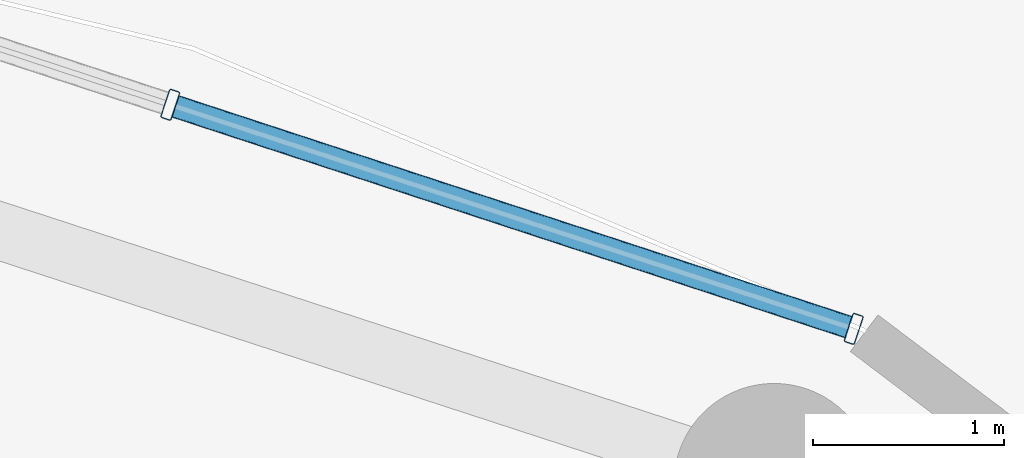
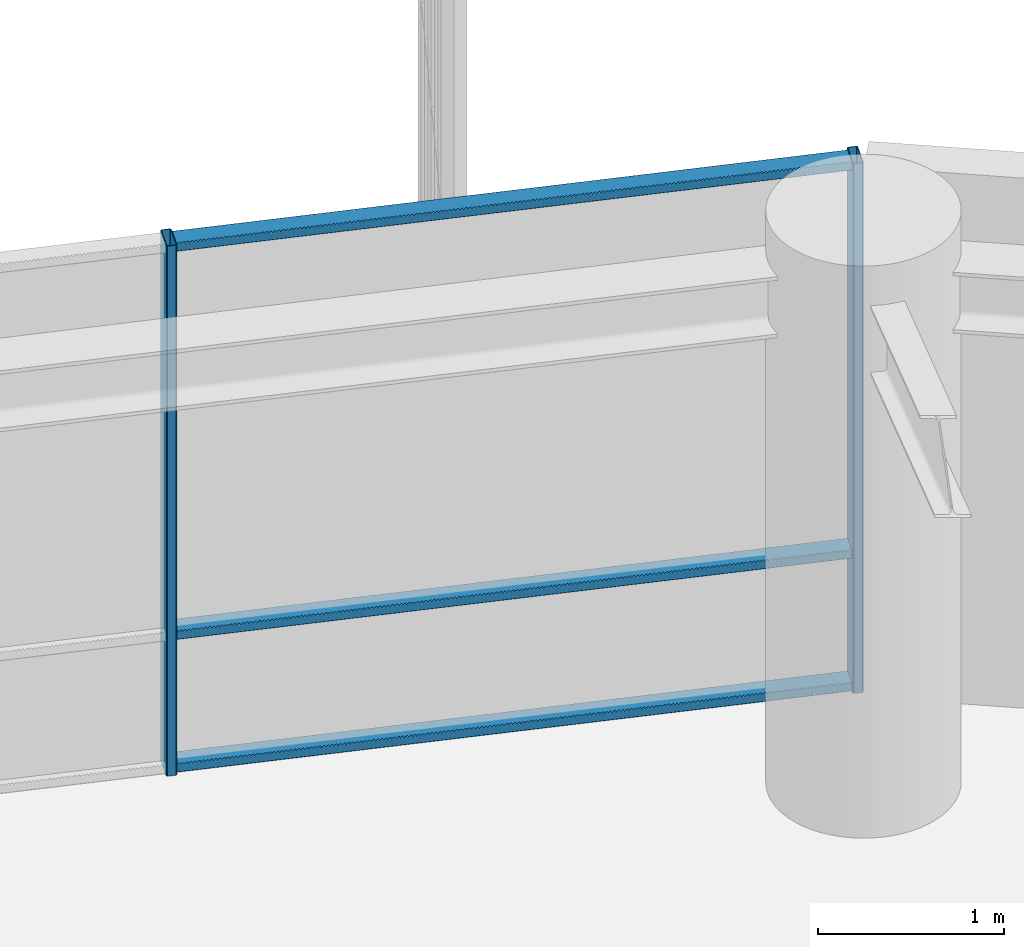
# One storey, part 22 of 31: 5 members, 1 element without a shape of its own.
"""IFC4 building model written with IfcOpenShell, lengths in metres."""

from ifc_helpers import new_model, si_unit, direction, frame, origin, origin_2d, place, context, subcontext, project, spatial, hollow_rectangle, extrude, material, layer, layer_set, material_profile, profile_set, type_object, element, aggregate, save


model = new_model("IFC4")

# Units and contexts
model_context = context("Model", 3, precision=1e-05, world=origin(), true_north=direction((0.0, 1.0)))
body_context = subcontext(model_context, "Body", "Model", "MODEL_VIEW")
ifc_project = project(units=[si_unit("LENGTHUNIT", "METRE"), si_unit("AREAUNIT", "SQUARE_METRE"), si_unit("VOLUMEUNIT", "CUBIC_METRE"), si_unit("PLANEANGLEUNIT", "RADIAN"), si_unit("MASSUNIT", "GRAM", prefix="KILO")], contexts=[model_context])

# Site, building, storey
site_placement = place(None, origin())
site = spatial("IfcSite", under=ifc_project, at=site_placement, CompositionType="ELEMENT")
building_placement = place(site_placement, origin())
building = spatial("IfcBuilding", under=site, at=building_placement, Name="Kelanora Arch Commons", CompositionType="ELEMENT")
storey_placement = place(building_placement, frame((0.0, 0.0, 196.949951171875)))
storey = spatial("IfcBuildingStorey", under=building, at=storey_placement, Name="L50", CompositionType="ELEMENT", Elevation=196.949951171875)

# Curtain wall, members
ifc_material_1 = material(Name="Terracotta ceramic-fritted low-E glass and aluminium", Category="masonry")
ifc_layer = layer(ifc_material_1, 0.175048828125)
ifc_layer_set = layer_set([ifc_layer], Name="Terracotta ceramic-fritted low-E glass and aluminium")
curtain_wall_type = type_object("IfcCurtainWallType", Name="CW-SYS-02", PredefinedType="NOTDEFINED", material=ifc_layer_set)
curtain_wall_placement = place(storey_placement, origin())
curtain_wall = element("IfcCurtainWall", 1, at=curtain_wall_placement, inside=storey, type_object=curtain_wall_type, Name="Unitised Curtain Wall L50-B03", PredefinedType="NOTDEFINED")
ifc_material_2 = material(Name="Powder-coated aluminium terracotta", Category="masonry")
ifc_material_profile_1 = material_profile(ifc_material_2, hollow_rectangle(XDim=0.159912109375, YDim=0.06005859375, WallThickness=0.0048828125, InnerFilletRadius=0.0048828125, OuterFilletRadius=0.010009765625, at=origin_2d()), Name="CWM160x60")
ifc_profile_set_1 = profile_set([ifc_material_profile_1], Name="Powder-coated aluminium terracotta")
member_type_1 = type_object("IfcMemberType", Name="CWM-STD", PredefinedType="MULLION", material=ifc_profile_set_1)
member_1_placement = place(storey_placement, frame((85.05712890625, 75.33447265625, 0.0), z_axis=(0.0, 0.0, 1.0), x_axis=(-0.311582439059, -0.950219124029, 0.0)))
member_1 = element("IfcMember", 2, at=member_1_placement, type_object=member_type_1, Name="CW-02 mullion 1", PredefinedType="MULLION", context=body_context, shape_type="SweptSolid", body=[
    extrude(hollow_rectangle(XDim=0.159912109375, YDim=0.06005859375, WallThickness=0.0048828125, InnerFilletRadius=0.0048828125, OuterFilletRadius=0.010009765625, at=origin_2d()), origin(), (0.0, 0.0, 1.0), 3.47509765625),
])
member_2_placement = place(storey_placement, frame((81.4775390625, 76.50830078125, 0.0), z_axis=(0.0, 0.0, 1.0), x_axis=(-0.311582439059, -0.950219124029, 0.0)))
member_2 = element("IfcMember", 3, at=member_2_placement, type_object=member_type_1, Name="CW-02 mullion 2", PredefinedType="MULLION", context=body_context, shape_type="SweptSolid", body=[
    extrude(hollow_rectangle(XDim=0.159912109375, YDim=0.06005859375, WallThickness=0.0048828125, InnerFilletRadius=0.0048828125, OuterFilletRadius=0.010009765625, at=origin_2d()), origin(), (0.0, 0.0, 1.0), 3.47509765625),
])
ifc_material_profile_2 = material_profile(ifc_material_2, hollow_rectangle(XDim=0.1201171875, YDim=0.06005859375, WallThickness=0.0048828125, InnerFilletRadius=0.0048828125, OuterFilletRadius=0.010009765625, at=origin_2d()), Name="CWT120x60")
ifc_profile_set_2 = profile_set([ifc_material_profile_2], Name="Powder-coated aluminium terracotta")
member_type_2 = type_object("IfcMemberType", Name="CWT-STD", PredefinedType="USERDEFINED", material=ifc_profile_set_2)
member_3_placement = place(storey_placement, frame((85.02880859375, 75.343994140625, 0.030029296875), z_axis=(-0.950226025222, 0.311561392011, 0.0), x_axis=(-0.311561392011, -0.950226025222, 0.0)))
member_3 = element("IfcMember", 4, at=member_3_placement, type_object=member_type_2, Name="CW-02 transom 1.1", ObjectType="TRANSOM", PredefinedType="USERDEFINED", context=body_context, shape_type="SweptSolid", body=[
    extrude(hollow_rectangle(XDim=0.1201171875, YDim=0.06005859375, WallThickness=0.0048828125, InnerFilletRadius=0.0048828125, OuterFilletRadius=0.010009765625, at=origin_2d()), origin(), (0.0, 0.0, 1.0), 3.707275390625),
])
member_4_placement = place(storey_placement, frame((85.02880859375, 75.343994140625, 0.900146484375), z_axis=(-0.950226025222, 0.311561392011, 0.0), x_axis=(-0.311561392011, -0.950226025222, 0.0)))
member_4 = element("IfcMember", 5, at=member_4_placement, type_object=member_type_2, Name="CW-02 transom 1.2", ObjectType="TRANSOM", PredefinedType="USERDEFINED", context=body_context, shape_type="SweptSolid", body=[
    extrude(hollow_rectangle(XDim=0.1201171875, YDim=0.06005859375, WallThickness=0.0048828125, InnerFilletRadius=0.0048828125, OuterFilletRadius=0.010009765625, at=origin_2d()), origin(), (0.0, 0.0, 1.0), 3.707275390625),
])
member_5_placement = place(storey_placement, frame((85.02880859375, 75.343994140625, 3.445068359375), z_axis=(-0.950226025222, 0.311561392011, 0.0), x_axis=(-0.311561392011, -0.950226025222, 0.0)))
member_5 = element("IfcMember", 6, at=member_5_placement, type_object=member_type_2, Name="CW-02 transom 1.3", ObjectType="TRANSOM", PredefinedType="USERDEFINED", context=body_context, shape_type="SweptSolid", body=[
    extrude(hollow_rectangle(XDim=0.1201171875, YDim=0.06005859375, WallThickness=0.0048828125, InnerFilletRadius=0.0048828125, OuterFilletRadius=0.010009765625, at=origin_2d()), origin(), (0.0, 0.0, 1.0), 3.707275390625),
])
aggregate(curtain_wall, [member_1, member_2, member_3, member_4, member_5])

save(model, "model.ifc")
